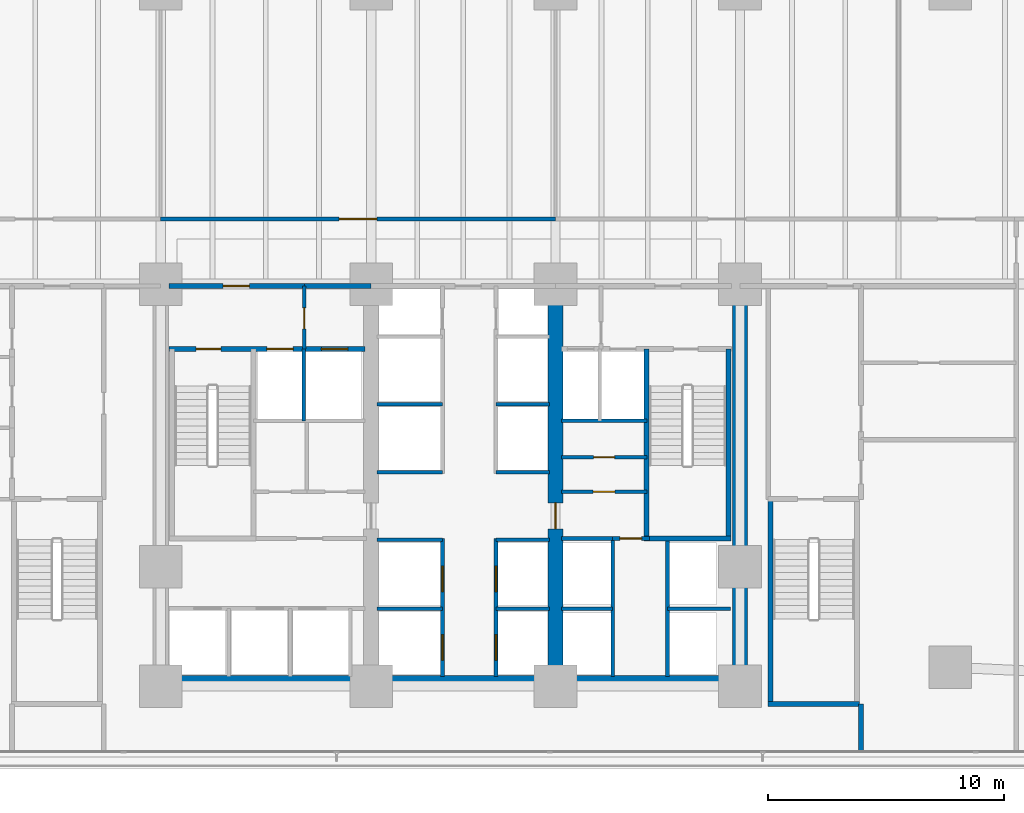
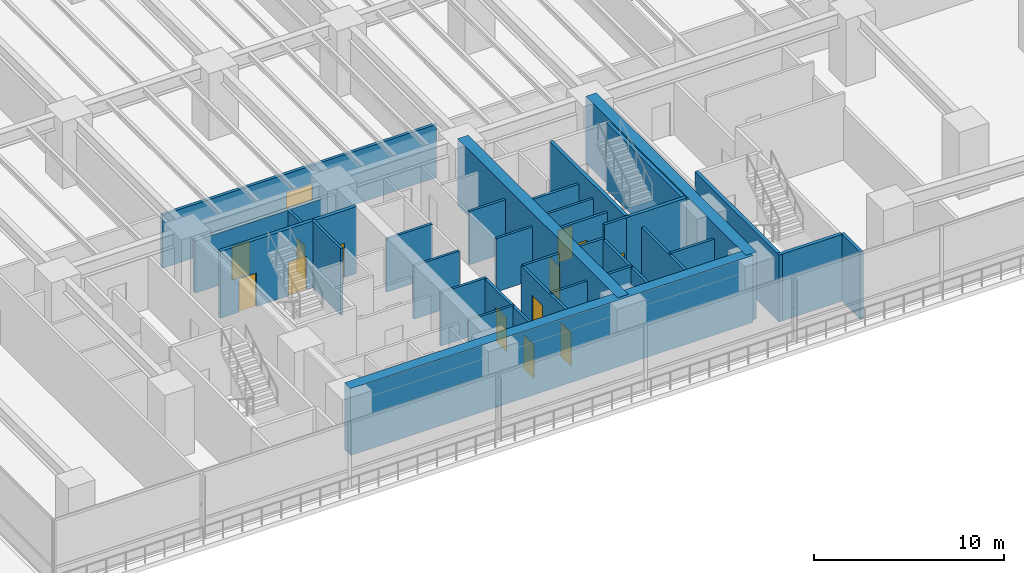
# One storey, part 11 of 28: 34 walls, 14 doors, 14 openings.
"""IFC4 building model written with IfcOpenShell, lengths in metres."""

import ifcopenshell
import ifcopenshell.guid

model = None  # the IFC model being written
_history = None  # IfcOwnerHistory: only IFC2X3 demands one
_inside = {}  # id of a spatial element -> (the spatial element, [elements in it])
_under = {}  # id of a project, library or spatial element -> (it, [spatial elements below it])
_declared = {}  # id of a project -> (the project, [libraries it declares])
_typed = {}  # id of a type object -> (the type object, [elements of that type])
_made_of = {}  # id of a material, layer set ... -> (it, [elements and type objects made of it])


def new_model(schema):
    """Start an empty IFC model of exactly this schema.

    Asked for "IFC4X3", IfcOpenShell would pick the latest addendum, in which some entities
    have other attributes; the version numbers below select the first issue.
    IFC2X3 requires an IfcOwnerHistory on every rooted entity: one is made here for all.
    """
    global model, _history
    if schema == "IFC4X3":
        model = ifcopenshell.file(schema_version=(4, 3, 0, 0))
    else:
        model = ifcopenshell.file(schema=schema)
    _inside.clear()
    _under.clear()
    _declared.clear()
    _typed.clear()
    _made_of.clear()
    _history = None
    if model.schema == "IFC2X3":
        org = make("IfcOrganization", Name="unknown")
        user = make(
            "IfcPersonAndOrganization",
            ThePerson=make("IfcPerson", FamilyName="unknown"),
            TheOrganization=org,
        )
        app = make(
            "IfcApplication",
            ApplicationDeveloper=org,
            Version="unknown",
            ApplicationFullName="unknown",
            ApplicationIdentifier="unknown",
        )
        _history = make(
            "IfcOwnerHistory",
            OwningUser=user,
            OwningApplication=app,
            ChangeAction="ADDED",
            CreationDate=0,
        )
    return model


def make(cls, **values):
    """One entity of the class cls with the attributes given. An attribute that is None is left unset."""
    return model.create_entity(
        cls, **{name: value for name, value in values.items() if value is not None}
    )


def rooted(cls, **values):
    """An entity with a GlobalId (a new one), such as an element, a storey or a relation."""
    return make(cls, GlobalId=ifcopenshell.guid.new(), OwnerHistory=_history, **values)


def si_unit(unit_type, name, prefix=None):
    """IfcSIUnit, for example si_unit("LENGTHUNIT", "METRE", prefix="MILLI")."""
    return make("IfcSIUnit", UnitType=unit_type, Prefix=prefix, Name=name)


def assignment(units):
    """IfcUnitAssignment: the units of a project."""
    return None if units is None else make("IfcUnitAssignment", Units=units)


def point(xyz):
    """IfcCartesianPoint."""
    return None if xyz is None else make("IfcCartesianPoint", Coordinates=xyz)


def direction(xyz):
    """IfcDirection."""
    return None if xyz is None else make("IfcDirection", DirectionRatios=xyz)


def frame(location, z_axis=None, x_axis=None):
    """IfcAxis2Placement3D, a coordinate frame: its origin and axes. An axis left out is left unset."""
    return make(
        "IfcAxis2Placement3D",
        Location=point(location),
        Axis=direction(z_axis),
        RefDirection=direction(x_axis),
    )


def frame_2d(location, x_axis=None):
    """IfcAxis2Placement2D, a coordinate frame in the plane: its origin and x axis."""
    return make(
        "IfcAxis2Placement2D", Location=point(location), RefDirection=direction(x_axis)
    )


def origin():
    """The frame at (0, 0, 0) with its axes left unset."""
    return frame((0.0, 0.0, 0.0))


def place(relative_to, where):
    """IfcLocalPlacement: puts the frame where relative to a parent placement (None: the world)."""
    return make(
        "IfcLocalPlacement", PlacementRelTo=relative_to, RelativePlacement=where
    )


def context(
    kind, dimensions, precision=None, world=None, true_north=None, identifier=None
):
    """IfcGeometricRepresentationContext, for example the 3D "Model" context."""
    return make(
        "IfcGeometricRepresentationContext",
        ContextIdentifier=identifier,
        ContextType=kind,
        CoordinateSpaceDimension=dimensions,
        Precision=precision,
        WorldCoordinateSystem=world,
        TrueNorth=true_north,
    )


def subcontext(parent, identifier, kind, view, scale=None):
    """IfcGeometricRepresentationSubContext, for example "Body" below "Model"."""
    return make(
        "IfcGeometricRepresentationSubContext",
        ContextIdentifier=identifier,
        ContextType=kind,
        ParentContext=parent,
        TargetScale=scale,
        TargetView=view,
    )


def project(units=None, contexts=None):
    """IfcProject with its units and contexts."""
    return rooted(
        "IfcProject",
        Name="project",
        RepresentationContexts=contexts,
        UnitsInContext=assignment(units),
    )


def spatial(cls, under=None, at=None, **own):
    """A site, building, storey or space (cls), placed at a placement, below another one or the project."""
    s = rooted(cls, ObjectPlacement=at, **own)
    if under is not None:
        _under.setdefault(under.id(), (under, []))[1].append(s)
    return s


def profile(cls, at=None, kind="AREA", **sizes):
    """A parametric profile (cls). Its sizes go by their IFC names, for example OverallWidth=200.0."""
    return make(cls, ProfileType=kind, Position=at, **sizes)


def rectangle(**sizes):
    """IfcRectangleProfileDef."""
    return profile("IfcRectangleProfileDef", **sizes)


def extrude(swept, where, along, depth):
    """IfcExtrudedAreaSolid: the profile swept, set in the frame where, extruded along a direction by depth."""
    return make(
        "IfcExtrudedAreaSolid",
        SweptArea=swept,
        Position=where,
        ExtrudedDirection=direction(along),
        Depth=depth,
    )


def shape(context_of_items, identifier, shape_type, items):
    """IfcShapeRepresentation: the items that make up one representation, for example the "Body"."""
    return make(
        "IfcShapeRepresentation",
        ContextOfItems=context_of_items,
        RepresentationIdentifier=identifier,
        RepresentationType=shape_type,
        Items=items,
    )


def material(Name=None, Category=None):
    """IfcMaterial."""
    return make("IfcMaterial", Name=Name, Category=Category)


def layer(
    of_material, thickness, ventilated=None, Name=None, Category=None, Priority=None
):
    """IfcMaterialLayer: one layer of a wall or slab, of a material (None: an air gap)."""
    return make(
        "IfcMaterialLayer",
        Material=of_material,
        LayerThickness=thickness,
        IsVentilated=ventilated,
        Name=Name,
        Category=Category,
        Priority=Priority,
    )


def layer_set(layers, Name=None):
    """IfcMaterialLayerSet."""
    return make("IfcMaterialLayerSet", MaterialLayers=layers, LayerSetName=Name)


def made_of(thing, what):
    """Note that an element or type object is made of a material, layer set ...; save() writes the relation."""
    if what is not None:
        _made_of.setdefault(what.id(), (what, []))[1].append(thing)
    return thing


def type_object(cls, material=None, **own):
    """A type object (cls), such as IfcWallType, which elements share."""
    return made_of(rooted(cls, **own), material)


def element(
    cls,
    number,
    at=None,
    inside=None,
    cuts=None,
    type_object=None,
    material=None,
    context=None,
    identifier="Body",
    shape_type=None,
    held_by="IfcProductDefinitionShape",
    body=None,
    shapes=None,
    **own,
):
    """One element of the class cls, such as IfcWall. Its Tag is "e" and its number.

    at: its placement. inside: the storey or other place that contains it. cuts: it is an
    opening in that element (IfcRelVoidsElement). A single representation is given by context,
    identifier, shape_type and body (its items); several are given by shapes. held_by: the class
    of the entity that holds the representations. save() writes the other relations.
    """
    e = rooted(cls, Tag="e%d" % number, ObjectPlacement=at, **own)
    if body is not None:
        shapes = [shape(context, identifier, shape_type, body)]
    if shapes is not None:
        e.Representation = make(held_by, Representations=shapes)
    if inside is not None:
        _inside.setdefault(inside.id(), (inside, []))[1].append(e)
    if cuts is not None:
        rooted(
            "IfcRelVoidsElement", RelatingBuildingElement=cuts, RelatedOpeningElement=e
        )
    if type_object is not None:
        _typed.setdefault(type_object.id(), (type_object, []))[1].append(e)
    return made_of(e, material)


def fill(opening, filler):
    """IfcRelFillsElement: the door or window that sits in an opening."""
    return rooted(
        "IfcRelFillsElement",
        RelatingOpeningElement=opening,
        RelatedBuildingElement=filler,
    )


def aggregate(whole, parts):
    """IfcRelAggregates: a whole, such as a stair, and the parts it consists of."""
    return rooted("IfcRelAggregates", RelatingObject=whole, RelatedObjects=parts)


def save(model, path):
    """Write the relations noted so far, then the file.

    IfcRelAggregates (storeys below a building ...), IfcRelContainedInSpatialStructure (elements
    in a storey), IfcRelDefinesByType, IfcRelAssociatesMaterial and IfcRelDeclares: one each for
    every whole, place, type object, material and project.
    """
    for whole, parts in _under.values():
        aggregate(whole, parts)
    for where, things in _inside.values():
        rooted(
            "IfcRelContainedInSpatialStructure",
            RelatedElements=things,
            RelatingStructure=where,
        )
    for kind, things in _typed.values():
        rooted("IfcRelDefinesByType", RelatedObjects=things, RelatingType=kind)
    for what, things in _made_of.values():
        rooted("IfcRelAssociatesMaterial", RelatedObjects=things, RelatingMaterial=what)
    for by, libraries in _declared.values():
        rooted("IfcRelDeclares", RelatingContext=by, RelatedDefinitions=libraries)
    model.write(path)


model = new_model("IFC4")

# Units and contexts
model_context = context("Model", 3, precision=1e-05, world=origin(), true_north=direction((0.0, 1.0)))
body_context = subcontext(model_context, "Body", "Model", "MODEL_VIEW")
ifc_project = project(units=[si_unit("LENGTHUNIT", "METRE"), si_unit("AREAUNIT", "SQUARE_METRE"), si_unit("VOLUMEUNIT", "CUBIC_METRE"), si_unit("PLANEANGLEUNIT", "RADIAN"), si_unit("MASSUNIT", "GRAM", prefix="KILO")], contexts=[model_context])

# Site, building, storey
site_placement = place(None, origin())
site = spatial("IfcSite", under=ifc_project, at=site_placement, CompositionType="ELEMENT")
building_placement = place(site_placement, origin())
building = spatial("IfcBuilding", under=site, at=building_placement, Name="Qalmaran Belvedere Hotel", CompositionType="ELEMENT")
storey_placement = place(building_placement, frame((0.0, 0.0, 10.0)))
storey = spatial("IfcBuildingStorey", under=building, at=storey_placement, Name="L02", CompositionType="ELEMENT", Elevation=10.0)

# Walls
ifc_material_1 = material(Name="Concrete C60/75", Category="concrete")
ifc_layer_1 = layer(ifc_material_1, 0.64990234375, Name="Concrete C60/75")
ifc_layer_set_1 = layer_set([ifc_layer_1], Name="Concrete C60/75")
wall_type_1 = type_object("IfcWallType", Name="WL-CORE-650-C60", PredefinedType="SHEAR", material=ifc_layer_set_1)
wall_1_placement = place(storey_placement, frame((20.300048828125, 3.6298828125, 0.0), z_axis=(0.0, 0.0, 1.0), x_axis=(1.0, 0.0, 0.0)))
element("IfcWall", 1, at=wall_1_placement, inside=storey, type_object=wall_type_1, Name="L02 South Core Shear Wall", PredefinedType="SHEAR", context=body_context, shape_type="SweptSolid", body=[
    extrude(rectangle(XDim=24.5, YDim=0.64990234375, at=frame_2d((12.25, 0.0))), origin(), (0.0, 0.0, 1.0), 4.300048828125),
])
wall_2_placement = place(storey_placement, frame((44.800048828125, 3.5, 0.0), z_axis=(0.0, 0.0, 1.0), x_axis=(0.0, 1.0, 0.0)))
element("IfcWall", 2, at=wall_2_placement, inside=storey, type_object=wall_type_1, Name="L02 East Core Shear Wall", PredefinedType="SHEAR", context=body_context, shape_type="SweptSolid", body=[
    extrude(rectangle(XDim=16.89990234375, YDim=0.64990234375, at=frame_2d((8.449951171875, 0.0))), origin(), (0.0, 0.0, 1.0), 4.300048828125),
])

# Wall, opening, door
wall_3_placement = place(storey_placement, frame((37.0, 3.5, 0.0), z_axis=(0.0, 0.0, 1.0), x_axis=(0.0, 1.0, 0.0)))
wall_3 = element("IfcWall", 3, at=wall_3_placement, inside=storey, type_object=wall_type_1, Name="L02 Core East Spine Shear Wall", PredefinedType="SHEAR", context=body_context, shape_type="SweptSolid", body=[
    extrude(rectangle(XDim=16.89990234375, YDim=0.64990234375, at=frame_2d((8.449951171875, 0.0))), origin(), (0.0, 0.0, 1.0), 4.300048828125),
])
opening_1_placement = place(wall_3_placement, frame((6.64990234375, 0.0, 0.0)))
opening_1 = element("IfcOpeningElement", 4, at=opening_1_placement, cuts=wall_3, Name="Opening FD90", PredefinedType="OPENING", context=body_context, shape_type="SweptSolid", body=[
    extrude(rectangle(XDim=1.10009765625, YDim=2.14990234375, at=frame_2d((0.550048828125, 1.074951171875))), frame((0.0, 0.3349609375, 0.0), z_axis=(0.0, -1.0, 0.0), x_axis=(1.0, 0.0, 0.0)), (0.0, 0.0, 1.0), 0.669921875),
])
ifc_material_2 = material(Name="Steel S355JR", Category="steel")
door_type_1 = type_object("IfcDoorType", Name="DR-FD90-1100X2150", OperationType="NOTDEFINED", PredefinedType="DOOR", material=ifc_material_2)
door_1_placement = place(opening_1_placement, origin())
door_1 = element("IfcDoor", 5, at=door_1_placement, inside=storey, type_object=door_type_1, Name="L02 Core East Cross-Lobby Door", OperationType="SINGLE_SWING_LEFT", OverallHeight=2.14990234375, OverallWidth=1.10009765625, PredefinedType="DOOR", context=body_context, shape_type="SweptSolid", body=[
    extrude(rectangle(XDim=1.10009765625, YDim=2.14990234375, at=frame_2d((0.550048828125, 1.074951171875))), frame((0.0, 0.02490234375, 0.0), z_axis=(0.0, -1.0, 0.0), x_axis=(1.0, 0.0, 0.0)), (0.0, 0.0, 1.0), 0.050048828125),
])
fill(opening_1, door_1)

# Walls
ifc_material_3 = material(Name="Gypsum Stud Partition")
ifc_layer_2 = layer(ifc_material_3, 0.14990234375, Name="Gypsum Stud Partition")
ifc_layer_set_2 = layer_set([ifc_layer_2], Name="Gypsum Stud Partition")
wall_type_2 = type_object("IfcWallType", Name="WL-INT-150-EI120", PredefinedType="PARTITIONING", material=ifc_layer_set_2)
wall_4_placement = place(storey_placement, frame((26.360107421875, 14.719970703125, 0.0), z_axis=(0.0, 0.0, 1.0), x_axis=(0.0, 1.0, 0.0)))
element("IfcWall", 6, at=wall_4_placement, inside=storey, type_object=wall_type_2, Name="L02 Partition WL-FF1M-L02", PredefinedType="PARTITIONING", context=body_context, shape_type="SweptSolid", body=[
    extrude(rectangle(XDim=3.0400390625, YDim=0.14990234375, at=frame_2d((1.52001953125, 0.0))), origin(), (0.0, 0.0, 1.0), 4.300048828125),
])
wall_5_placement = place(storey_placement, frame((37.25, 6.780029296875, 0.0), z_axis=(0.0, 0.0, 1.0), x_axis=(1.0, 0.0, 0.0)))
element("IfcWall", 7, at=wall_5_placement, inside=storey, type_object=wall_type_2, Name="L02 Partition WL-PHMW-L02", PredefinedType="PARTITIONING", context=body_context, shape_type="SweptSolid", body=[
    extrude(rectangle(XDim=2.169921875, YDim=0.14990234375, at=frame_2d((1.0849609375, 0.0))), origin(), (0.0, 0.0, 1.0), 3.429931640625),
])
wall_6_placement = place(storey_placement, frame((41.739990234375, 6.780029296875, 0.0), z_axis=(0.0, 0.0, 1.0), x_axis=(1.0, 0.0, 0.0)))
element("IfcWall", 8, at=wall_6_placement, inside=storey, type_object=wall_type_2, Name="L02 Partition WL-PHME-L02", PredefinedType="PARTITIONING", context=body_context, shape_type="SweptSolid", body=[
    extrude(rectangle(XDim=2.659912109375, YDim=0.14990234375, at=frame_2d((1.330078125, 0.0))), origin(), (0.0, 0.0, 1.0), 3.429931640625),
])
wall_7_placement = place(storey_placement, frame((29.449951171875, 6.780029296875, 0.0), z_axis=(0.0, 0.0, 1.0), x_axis=(1.0, 0.0, 0.0)))
element("IfcWall", 9, at=wall_7_placement, inside=storey, type_object=wall_type_2, Name="L02 Partition WL-PLW-L02-67", PredefinedType="PARTITIONING", context=body_context, shape_type="SweptSolid", body=[
    extrude(rectangle(XDim=2.77001953125, YDim=0.14990234375, at=frame_2d((1.385009765625, 0.0))), origin(), (0.0, 0.0, 1.0), 3.429931640625),
])
wall_8_placement = place(storey_placement, frame((34.47998046875, 6.780029296875, 0.0), z_axis=(0.0, 0.0, 1.0), x_axis=(1.0, 0.0, 0.0)))
element("IfcWall", 10, at=wall_8_placement, inside=storey, type_object=wall_type_2, Name="L02 Partition WL-PLE-L02-67", PredefinedType="PARTITIONING", context=body_context, shape_type="SweptSolid", body=[
    extrude(rectangle(XDim=2.27001953125, YDim=0.14990234375, at=frame_2d((1.135009765625, 0.0))), origin(), (0.0, 0.0, 1.0), 3.429931640625),
])
wall_9_placement = place(storey_placement, frame((29.449951171875, 9.699951171875, 0.0), z_axis=(0.0, 0.0, 1.0), x_axis=(1.0, 0.0, 0.0)))
element("IfcWall", 11, at=wall_9_placement, inside=storey, type_object=wall_type_2, Name="L02 Partition WL-PLW-L02-97", PredefinedType="PARTITIONING", context=body_context, shape_type="SweptSolid", body=[
    extrude(rectangle(XDim=2.77001953125, YDim=0.14990234375, at=frame_2d((1.385009765625, 0.0))), origin(), (0.0, 0.0, 1.0), 3.429931640625),
])
wall_10_placement = place(storey_placement, frame((34.47998046875, 9.699951171875, 0.0), z_axis=(0.0, 0.0, 1.0), x_axis=(1.0, 0.0, 0.0)))
element("IfcWall", 12, at=wall_10_placement, inside=storey, type_object=wall_type_2, Name="L02 Partition WL-PLE-L02-97", PredefinedType="PARTITIONING", context=body_context, shape_type="SweptSolid", body=[
    extrude(rectangle(XDim=2.27001953125, YDim=0.14990234375, at=frame_2d((1.135009765625, 0.0))), origin(), (0.0, 0.0, 1.0), 3.429931640625),
])
wall_11_placement = place(storey_placement, frame((29.449951171875, 12.550048828125, 0.0), z_axis=(0.0, 0.0, 1.0), x_axis=(1.0, 0.0, 0.0)))
element("IfcWall", 13, at=wall_11_placement, inside=storey, type_object=wall_type_2, Name="L02 Partition WL-PMW-L02-125", PredefinedType="PARTITIONING", context=body_context, shape_type="SweptSolid", body=[
    extrude(rectangle(XDim=2.77001953125, YDim=0.14990234375, at=frame_2d((1.385009765625, 0.0))), origin(), (0.0, 0.0, 1.0), 3.429931640625),
])
wall_12_placement = place(storey_placement, frame((34.47998046875, 12.550048828125, 0.0), z_axis=(0.0, 0.0, 1.0), x_axis=(1.0, 0.0, 0.0)))
element("IfcWall", 14, at=wall_12_placement, inside=storey, type_object=wall_type_2, Name="L02 Partition WL-PME-L02-125", PredefinedType="PARTITIONING", context=body_context, shape_type="SweptSolid", body=[
    extrude(rectangle(XDim=2.27001953125, YDim=0.14990234375, at=frame_2d((1.135009765625, 0.0))), origin(), (0.0, 0.0, 1.0), 3.429931640625),
])
wall_13_placement = place(storey_placement, frame((29.449951171875, 15.419921875, 0.0), z_axis=(0.0, 0.0, 1.0), x_axis=(1.0, 0.0, 0.0)))
element("IfcWall", 15, at=wall_13_placement, inside=storey, type_object=wall_type_2, Name="L02 Partition WL-PMW-L02-154", PredefinedType="PARTITIONING", context=body_context, shape_type="SweptSolid", body=[
    extrude(rectangle(XDim=2.77001953125, YDim=0.14990234375, at=frame_2d((1.385009765625, 0.0))), origin(), (0.0, 0.0, 1.0), 3.429931640625),
])
wall_14_placement = place(storey_placement, frame((34.47998046875, 15.419921875, 0.0), z_axis=(0.0, 0.0, 1.0), x_axis=(1.0, 0.0, 0.0)))
element("IfcWall", 16, at=wall_14_placement, inside=storey, type_object=wall_type_2, Name="L02 Partition WL-PME-L02-154", PredefinedType="PARTITIONING", context=body_context, shape_type="SweptSolid", body=[
    extrude(rectangle(XDim=2.27001953125, YDim=0.14990234375, at=frame_2d((1.135009765625, 0.0))), origin(), (0.0, 0.0, 1.0), 3.429931640625),
])

# Wall, opening, door
ifc_layer_3 = layer(ifc_material_3, 0.14990234375, Name="Gypsum Stud Partition")
ifc_layer_set_3 = layer_set([ifc_layer_3], Name="Gypsum Stud Partition")
wall_type_3 = type_object("IfcWallType", Name="WL-INT-150-EI60", PredefinedType="PARTITIONING", material=ifc_layer_set_3)
wall_15_placement = place(storey_placement, frame((37.25, 13.18505859375, 0.0), z_axis=(0.0, 0.0, 1.0), x_axis=(1.0, 0.0, 0.0)))
wall_15 = element("IfcWall", 17, at=wall_15_placement, inside=storey, type_object=wall_type_3, Name="L02 Partition WL-L02-KEHM", PredefinedType="PARTITIONING", context=body_context, shape_type="SweptSolid", body=[
    extrude(rectangle(XDim=3.610107421875, YDim=0.14990234375, at=frame_2d((1.80517578125, 0.0))), origin(), (0.0, 0.0, 1.0), 3.429931640625),
])
opening_2_placement = place(wall_15_placement, frame((1.364990234375, 0.0, 0.0)))
opening_2 = element("IfcOpeningElement", 18, at=opening_2_placement, cuts=wall_15, Name="Opening FD60B", PredefinedType="OPENING", context=body_context, shape_type="SweptSolid", body=[
    extrude(rectangle(XDim=0.8798828125, YDim=2.080078125, at=frame_2d((0.43994140625, 1.0400390625))), frame((0.0, 0.0849609375, 0.0), z_axis=(0.0, -1.0, 0.0), x_axis=(1.0, 0.0, 0.0)), (0.0, 0.0, 1.0), 0.169921875),
])
door_type_2 = type_object("IfcDoorType", Name="DR-FD60B-880X2080", OperationType="NOTDEFINED", PredefinedType="DOOR", material=ifc_material_2)
door_2_placement = place(opening_2_placement, origin())
door_2 = element("IfcDoor", 19, at=door_2_placement, inside=storey, type_object=door_type_2, Name="L02 Hotel Linen Closet Door", OperationType="SINGLE_SWING_RIGHT", OverallHeight=2.080078125, OverallWidth=0.8798828125, PredefinedType="DOOR", context=body_context, shape_type="SweptSolid", body=[
    extrude(rectangle(XDim=0.8798828125, YDim=2.080078125, at=frame_2d((0.43994140625, 1.0400390625))), frame((0.0, 0.02490234375, 0.0), z_axis=(0.0, -1.0, 0.0), x_axis=(1.0, 0.0, 0.0)), (0.0, 0.0, 1.0), 0.050048828125),
])
fill(opening_2, door_2)

ifc_layer_4 = layer(ifc_material_3, 0.159912109375, Name="Gypsum Stud Partition")
ifc_layer_set_4 = layer_set([ifc_layer_4], Name="Gypsum Stud Partition")
wall_type_4 = type_object("IfcWallType", Name="WL-INT-160-EI120", PredefinedType="PARTITIONING", material=ifc_layer_set_4)
wall_16_placement = place(storey_placement, frame((26.3798828125, 17.760009765625, 0.0), z_axis=(0.0, 0.0, 1.0), x_axis=(0.0, 1.0, 0.0)))
wall_16 = element("IfcWall", 20, at=wall_16_placement, inside=storey, type_object=wall_type_4, Name="L02 Partition WL-FFSV1-L02", PredefinedType="PARTITIONING", context=body_context, shape_type="SweptSolid", body=[
    extrude(rectangle(XDim=2.659912109375, YDim=0.159912109375, at=frame_2d((1.330078125, 0.0))), origin(), (0.0, 0.0, 1.0), 3.364013671875),
])
opening_3_placement = place(wall_16_placement, frame((0.85009765625, 0.0, 0.0)))
opening_3 = element("IfcOpeningElement", 21, at=opening_3_placement, cuts=wall_16, Name="Opening FD60B", PredefinedType="OPENING", context=body_context, shape_type="SweptSolid", body=[
    extrude(rectangle(XDim=0.8798828125, YDim=2.080078125, at=frame_2d((0.43994140625, 1.0400390625))), frame((0.0, 0.08984375, 0.0), z_axis=(0.0, -1.0, 0.0), x_axis=(1.0, 0.0, 0.0)), (0.0, 0.0, 1.0), 0.179931640625),
])
door_3_placement = place(opening_3_placement, origin())
door_3 = element("IfcDoor", 22, at=door_3_placement, inside=storey, type_object=door_type_2, Name="L02 Service Lobby West Door", OperationType="SINGLE_SWING_RIGHT", OverallHeight=2.080078125, OverallWidth=0.8798828125, PredefinedType="DOOR", context=body_context, shape_type="SweptSolid", body=[
    extrude(rectangle(XDim=0.8798828125, YDim=2.080078125, at=frame_2d((0.43994140625, 1.0400390625))), frame((0.0, 0.02490234375, 0.0), z_axis=(0.0, -1.0, 0.0), x_axis=(1.0, 0.0, 0.0)), (0.0, 0.0, 1.0), 0.050048828125),
])
fill(opening_3, door_3)

# Walls
wall_17_placement = place(storey_placement, frame((37.25, 14.719970703125, 0.0), z_axis=(0.0, 0.0, 1.0), x_axis=(1.0, 0.0, 0.0)))
element("IfcWall", 23, at=wall_17_placement, inside=storey, type_object=wall_type_4, Name="L02 Partition WL-FF2S-L02", PredefinedType="PARTITIONING", context=body_context, shape_type="SweptSolid", body=[
    extrude(rectangle(XDim=3.610107421875, YDim=0.159912109375, at=frame_2d((1.80517578125, 0.0))), origin(), (0.0, 0.0, 1.0), 3.429931640625),
])
for number, where, z_axis, x_axis, name in (
    (24, (39.419921875, 3.89990234375, 0.0), (0.0, 0.0, 1.0), (0.0, 1.0, 0.0), "L02 Partition WL-PHW-L02"),
    (25, (41.739990234375, 3.89990234375, 0.0), (0.0, 0.0, 1.0), (0.0, 1.0, 0.0), "L02 Partition WL-PHE-L02"),
):
    element("IfcWall", number, at=place(storey_placement, frame(where, z_axis=z_axis, x_axis=x_axis)), inside=storey, type_object=wall_type_4, Name=name, PredefinedType="PARTITIONING", context=body_context, shape_type="SweptSolid", body=[
        extrude(rectangle(XDim=5.840087890625, YDim=0.159912109375, at=frame_2d((2.919921875, 0.0))), origin(), (0.0, 0.0, 1.0), 3.364013671875),
    ])
wall_18_placement = place(storey_placement, frame((37.25, 9.739990234375, 0.0), z_axis=(0.0, 0.0, 1.0), x_axis=(1.0, 0.0, 0.0)))
element("IfcWall", 26, at=wall_18_placement, inside=storey, type_object=wall_type_4, Name="L02 Partition WL-PHNW-L02", PredefinedType="PARTITIONING", context=body_context, shape_type="SweptSolid", body=[
    extrude(rectangle(XDim=2.169921875, YDim=0.159912109375, at=frame_2d((1.0849609375, 0.0))), origin(), (0.0, 0.0, 1.0), 3.429931640625),
])

# Wall, opening, door
wall_19_placement = place(storey_placement, frame((39.419921875, 9.739990234375, 0.0), z_axis=(0.0, 0.0, 1.0), x_axis=(1.0, 0.0, 0.0)))
wall_19 = element("IfcWall", 27, at=wall_19_placement, inside=storey, type_object=wall_type_4, Name="L02 Partition WL-PHNL-L02", PredefinedType="PARTITIONING", context=body_context, shape_type="SweptSolid", body=[
    extrude(rectangle(XDim=1.56005859375, YDim=0.159912109375, at=frame_2d((0.780029296875, 0.0))), origin(), (0.0, 0.0, 1.0), 4.300048828125),
])
opening_4_placement = place(wall_19_placement, frame((0.300048828125, 0.0, 0.0)))
opening_4 = element("IfcOpeningElement", 28, at=opening_4_placement, cuts=wall_19, Name="Opening FD60S1", PredefinedType="OPENING", context=body_context, shape_type="SweptSolid", body=[
    extrude(rectangle(XDim=0.919921875, YDim=2.080078125, at=frame_2d((0.4599609375, 1.0400390625))), frame((0.0, 0.08984375, 0.0), z_axis=(0.0, -1.0, 0.0), x_axis=(1.0, 0.0, 0.0)), (0.0, 0.0, 1.0), 0.179931640625),
])
ifc_material_4 = material(Name="Engineered Oak Veneer")
door_type_3 = type_object("IfcDoorType", Name="DR-FD60S-920X2080", OperationType="NOTDEFINED", PredefinedType="DOOR", material=ifc_material_4)
door_4_placement = place(opening_4_placement, origin())
door_4 = element("IfcDoor", 29, at=door_4_placement, inside=storey, type_object=door_type_3, Name="L02 High-Rise Lift Lobby Passage Door", OperationType="SINGLE_SWING_RIGHT", OverallHeight=2.080078125, OverallWidth=0.919921875, PredefinedType="DOOR", context=body_context, shape_type="SweptSolid", body=[
    extrude(rectangle(XDim=0.919921875, YDim=2.080078125, at=frame_2d((0.4599609375, 1.0400390625))), frame((0.0, 0.02490234375, 0.0), z_axis=(0.0, -1.0, 0.0), x_axis=(1.0, 0.0, 0.0)), (0.0, 0.0, 1.0), 0.050048828125),
])
fill(opening_4, door_4)

# Wall, openings, doors
wall_20_placement = place(storey_placement, frame((32.219970703125, 3.89990234375, 0.0), z_axis=(0.0, 0.0, 1.0), x_axis=(0.0, 1.0, 0.0)))
wall_20 = element("IfcWall", 30, at=wall_20_placement, inside=storey, type_object=wall_type_4, Name="L02 Partition WL-CLBWS-L02", PredefinedType="PARTITIONING", context=body_context, shape_type="SweptSolid", body=[
    extrude(rectangle(XDim=5.840087890625, YDim=0.159912109375, at=frame_2d((2.919921875, 0.0))), origin(), (0.0, 0.0, 1.0), 3.364013671875),
])
opening_5_placement = place(wall_20_placement, frame((1.780029296875, 0.0, 0.0), z_axis=(0.0, 0.0, 1.0), x_axis=(-1.0, 0.0, 0.0)))
opening_5 = element("IfcOpeningElement", 31, at=opening_5_placement, cuts=wall_20, Name="Opening LD-P1", PredefinedType="OPENING", context=body_context, shape_type="SweptSolid", body=[
    extrude(rectangle(XDim=1.080078125, YDim=2.159912109375, at=frame_2d((0.5400390625, 1.080078125))), frame((0.0, 0.08984375, 0.0), z_axis=(0.0, -1.0, 0.0), x_axis=(1.0, 0.0, 0.0)), (0.0, 0.0, 1.0), 0.179931640625),
])
opening_6_placement = place(wall_20_placement, frame((4.68017578125, 0.0, 0.0), z_axis=(0.0, 0.0, 1.0), x_axis=(-1.0, 0.0, 0.0)))
opening_6 = element("IfcOpeningElement", 32, at=opening_6_placement, cuts=wall_20, Name="Opening LD-P1", PredefinedType="OPENING", context=body_context, shape_type="SweptSolid", body=[
    extrude(rectangle(XDim=1.080078125, YDim=2.159912109375, at=frame_2d((0.5400390625, 1.080078125))), frame((0.0, 0.08984375, 0.0), z_axis=(0.0, -1.0, 0.0), x_axis=(1.0, 0.0, 0.0)), (0.0, 0.0, 1.0), 0.179931640625),
])
ifc_material_5 = material(Name="Stainless Steel 1.4401", Category="steel")
door_type_4 = type_object("IfcDoorType", Name="DR-LIFT-P1-1080X2160", OperationType="DOUBLE_DOOR_SLIDING", PredefinedType="DOOR", material=ifc_material_5)
door_5_placement = place(opening_5_placement, origin())
door_5 = element("IfcDoor", 33, at=door_5_placement, inside=storey, type_object=door_type_4, Name="L02 PL1 Lift Landing Door", OperationType="DOUBLE_DOOR_SLIDING", OverallHeight=2.159912109375, OverallWidth=1.080078125, PredefinedType="DOOR", context=body_context, shape_type="SweptSolid", body=[
    extrude(rectangle(XDim=1.080078125, YDim=2.159912109375, at=frame_2d((0.5400390625, 1.080078125))), frame((0.0, 0.02490234375, 0.0), z_axis=(0.0, -1.0, 0.0), x_axis=(1.0, 0.0, 0.0)), (0.0, 0.0, 1.0), 0.050048828125),
])
fill(opening_5, door_5)
door_6_placement = place(opening_6_placement, origin())
door_6 = element("IfcDoor", 34, at=door_6_placement, inside=storey, type_object=door_type_4, Name="L02 PL2 Lift Landing Door", OperationType="DOUBLE_DOOR_SLIDING", OverallHeight=2.159912109375, OverallWidth=1.080078125, PredefinedType="DOOR", context=body_context, shape_type="SweptSolid", body=[
    extrude(rectangle(XDim=1.080078125, YDim=2.159912109375, at=frame_2d((0.5400390625, 1.080078125))), frame((0.0, 0.02490234375, 0.0), z_axis=(0.0, -1.0, 0.0), x_axis=(1.0, 0.0, 0.0)), (0.0, 0.0, 1.0), 0.050048828125),
])
fill(opening_6, door_6)

wall_21_placement = place(storey_placement, frame((34.47998046875, 3.89990234375, 0.0), z_axis=(0.0, 0.0, 1.0), x_axis=(0.0, 1.0, 0.0)))
wall_21 = element("IfcWall", 35, at=wall_21_placement, inside=storey, type_object=wall_type_4, Name="L02 Partition WL-CLBES-L02", PredefinedType="PARTITIONING", context=body_context, shape_type="SweptSolid", body=[
    extrude(rectangle(XDim=5.840087890625, YDim=0.159912109375, at=frame_2d((2.919921875, 0.0))), origin(), (0.0, 0.0, 1.0), 3.364013671875),
])
opening_7_placement = place(wall_21_placement, frame((0.699951171875, 0.0, 0.0)))
opening_7 = element("IfcOpeningElement", 36, at=opening_7_placement, cuts=wall_21, Name="Opening LD-P1", PredefinedType="OPENING", context=body_context, shape_type="SweptSolid", body=[
    extrude(rectangle(XDim=1.080078125, YDim=2.159912109375, at=frame_2d((0.5400390625, 1.080078125))), frame((0.0, 0.08984375, 0.0), z_axis=(0.0, -1.0, 0.0), x_axis=(1.0, 0.0, 0.0)), (0.0, 0.0, 1.0), 0.179931640625),
])
opening_8_placement = place(wall_21_placement, frame((3.60009765625, 0.0, 0.0)))
opening_8 = element("IfcOpeningElement", 37, at=opening_8_placement, cuts=wall_21, Name="Opening LD-P1", PredefinedType="OPENING", context=body_context, shape_type="SweptSolid", body=[
    extrude(rectangle(XDim=1.080078125, YDim=2.159912109375, at=frame_2d((0.5400390625, 1.080078125))), frame((0.0, 0.08984375, 0.0), z_axis=(0.0, -1.0, 0.0), x_axis=(1.0, 0.0, 0.0)), (0.0, 0.0, 1.0), 0.179931640625),
])
door_7_placement = place(opening_7_placement, origin())
door_7 = element("IfcDoor", 38, at=door_7_placement, inside=storey, type_object=door_type_4, Name="L02 PL3 Lift Landing Door", OperationType="DOUBLE_DOOR_SLIDING", OverallHeight=2.159912109375, OverallWidth=1.080078125, PredefinedType="DOOR", context=body_context, shape_type="SweptSolid", body=[
    extrude(rectangle(XDim=1.080078125, YDim=2.159912109375, at=frame_2d((0.5400390625, 1.080078125))), frame((0.0, 0.02490234375, 0.0), z_axis=(0.0, -1.0, 0.0), x_axis=(1.0, 0.0, 0.0)), (0.0, 0.0, 1.0), 0.050048828125),
])
fill(opening_7, door_7)
door_8_placement = place(opening_8_placement, origin())
door_8 = element("IfcDoor", 39, at=door_8_placement, inside=storey, type_object=door_type_4, Name="L02 PL4 Lift Landing Door", OperationType="DOUBLE_DOOR_SLIDING", OverallHeight=2.159912109375, OverallWidth=1.080078125, PredefinedType="DOOR", context=body_context, shape_type="SweptSolid", body=[
    extrude(rectangle(XDim=1.080078125, YDim=2.159912109375, at=frame_2d((0.5400390625, 1.080078125))), frame((0.0, 0.02490234375, 0.0), z_axis=(0.0, -1.0, 0.0), x_axis=(1.0, 0.0, 0.0)), (0.0, 0.0, 1.0), 0.050048828125),
])
fill(opening_8, door_8)

# Wall, opening, door
ifc_layer_5 = layer(ifc_material_3, 0.159912109375, Name="Gypsum Stud Partition")
ifc_layer_set_5 = layer_set([ifc_layer_5], Name="Gypsum Stud Partition")
wall_type_5 = type_object("IfcWallType", Name="WL-INT-160-EI60", PredefinedType="PARTITIONING", material=ifc_layer_set_5)
wall_22_placement = place(storey_placement, frame((37.25, 11.719970703125, 0.0), z_axis=(0.0, 0.0, 1.0), x_axis=(1.0, 0.0, 0.0)))
wall_22 = element("IfcWall", 40, at=wall_22_placement, inside=storey, type_object=wall_type_5, Name="L02 Partition WL-L02-KEE1", PredefinedType="PARTITIONING", context=body_context, shape_type="SweptSolid", body=[
    extrude(rectangle(XDim=3.610107421875, YDim=0.159912109375, at=frame_2d((1.80517578125, 0.0))), origin(), (0.0, 0.0, 1.0), 3.429931640625),
])
opening_9_placement = place(wall_22_placement, frame((1.344970703125, 0.0, 0.0)))
opening_9 = element("IfcOpeningElement", 41, at=opening_9_placement, cuts=wall_22, Name="Opening FD60S1", PredefinedType="OPENING", context=body_context, shape_type="SweptSolid", body=[
    extrude(rectangle(XDim=0.919921875, YDim=2.080078125, at=frame_2d((0.4599609375, 1.0400390625))), frame((0.0, 0.08984375, 0.0), z_axis=(0.0, -1.0, 0.0), x_axis=(1.0, 0.0, 0.0)), (0.0, 0.0, 1.0), 0.179931640625),
])
door_9_placement = place(opening_9_placement, origin())
door_9 = element("IfcDoor", 42, at=door_9_placement, inside=storey, type_object=door_type_3, Name="L02 Low Voltage Switch Room Door", OperationType="SINGLE_SWING_LEFT", OverallHeight=2.080078125, OverallWidth=0.919921875, PredefinedType="DOOR", context=body_context, shape_type="SweptSolid", body=[
    extrude(rectangle(XDim=0.919921875, YDim=2.080078125, at=frame_2d((0.4599609375, 1.0400390625))), frame((0.0, 0.02490234375, 0.0), z_axis=(0.0, -1.0, 0.0), x_axis=(1.0, 0.0, 0.0)), (0.0, 0.0, 1.0), 0.050048828125),
])
fill(opening_9, door_9)

ifc_layer_6 = layer(ifc_material_3, 0.179931640625, Name="Gypsum Stud Partition")
ifc_layer_set_6 = layer_set([ifc_layer_6], Name="Gypsum Stud Partition")
wall_type_6 = type_object("IfcWallType", Name="WL-INT-180-EI60", PredefinedType="PARTITIONING", material=ifc_layer_set_6)
wall_23_placement = place(storey_placement, frame((20.300048828125, 23.25, 0.0), z_axis=(0.0, 0.0, 1.0), x_axis=(1.0, 0.0, 0.0)))
wall_23 = element("IfcWall", 43, at=wall_23_placement, inside=storey, type_object=wall_type_6, Name="L02 Partition WL-L02-GND2", PredefinedType="PARTITIONING", context=body_context, shape_type="SweptSolid", body=[
    extrude(rectangle(XDim=16.699951171875, YDim=0.179931640625, at=frame_2d((8.35009765625, 0.0))), origin(), (0.0, 0.0, 1.0), 3.429931640625),
])
opening_10_placement = place(wall_23_placement, frame((7.550048828125, 0.0, 0.0)))
opening_10 = element("IfcOpeningElement", 44, at=opening_10_placement, cuts=wall_23, Name="Opening FD60D", PredefinedType="OPENING", context=body_context, shape_type="SweptSolid", body=[
    extrude(rectangle(XDim=1.60009765625, YDim=2.219970703125, at=frame_2d((0.800048828125, 1.10986328125))), frame((0.0, 0.10009765625, 0.0), z_axis=(0.0, -1.0, 0.0), x_axis=(1.0, 0.0, 0.0)), (0.0, 0.0, 1.0), 0.199951171875),
])
door_type_5 = type_object("IfcDoorType", Name="DR-FD60D-1600X2220", OperationType="NOTDEFINED", PredefinedType="DOOR", material=ifc_material_4)
door_10_placement = place(opening_10_placement, origin())
door_10 = element("IfcDoor", 45, at=door_10_placement, inside=storey, type_object=door_type_5, Name="L02 Grand Ballroom West Door", OperationType="DOUBLE_DOOR_SINGLE_SWING", OverallHeight=2.219970703125, OverallWidth=1.60009765625, PredefinedType="DOOR", context=body_context, shape_type="SweptSolid", body=[
    extrude(rectangle(XDim=1.60009765625, YDim=2.219970703125, at=frame_2d((0.800048828125, 1.10986328125))), frame((0.0, 0.02490234375, 0.0), z_axis=(0.0, -1.0, 0.0), x_axis=(1.0, 0.0, 0.0)), (0.0, 0.0, 1.0), 0.050048828125),
])
fill(opening_10, door_10)

ifc_material_6 = material(Name="Concrete C30/37 Blockwork", Category="masonry")
ifc_layer_7 = layer(ifc_material_6, 0.199951171875, Name="Concrete C30/37 Blockwork")
ifc_layer_set_7 = layer_set([ifc_layer_7], Name="Concrete C30/37 Blockwork")
wall_type_7 = type_object("IfcWallType", Name="WL-INT-200-EI120", PredefinedType="PARTITIONING", material=ifc_layer_set_7)
wall_24_placement = place(storey_placement, frame((20.64990234375, 20.419921875, 0.0), z_axis=(0.0, 0.0, 1.0), x_axis=(1.0, 0.0, 0.0)))
wall_24 = element("IfcWall", 46, at=wall_24_placement, inside=storey, type_object=wall_type_7, Name="L02 Partition WL-CN1A-L02", PredefinedType="PARTITIONING", context=body_context, shape_type="SweptSolid", body=[
    extrude(rectangle(XDim=5.72998046875, YDim=0.199951171875, at=frame_2d((2.864990234375, 0.0))), origin(), (0.0, 0.0, 1.0), 3.364013671875),
])
opening_11_placement = place(wall_24_placement, frame((2.300048828125, 0.0, 0.0)))
opening_11 = element("IfcOpeningElement", 47, at=opening_11_placement, cuts=wall_24, Name="Opening FD90", PredefinedType="OPENING", context=body_context, shape_type="SweptSolid", body=[
    extrude(rectangle(XDim=1.10009765625, YDim=2.14990234375, at=frame_2d((0.550048828125, 1.074951171875))), frame((0.0, 0.10986328125, 0.0), z_axis=(0.0, -1.0, 0.0), x_axis=(1.0, 0.0, 0.0)), (0.0, 0.0, 1.0), 0.219970703125),
])
door_11_placement = place(opening_11_placement, origin())
door_11 = element("IfcDoor", 48, at=door_11_placement, inside=storey, type_object=door_type_1, Name="L02 FF1 Lobby Corridor Door", OperationType="SINGLE_SWING_RIGHT", OverallHeight=2.14990234375, OverallWidth=1.10009765625, PredefinedType="DOOR", context=body_context, shape_type="SweptSolid", body=[
    extrude(rectangle(XDim=1.10009765625, YDim=2.14990234375, at=frame_2d((0.550048828125, 1.074951171875))), frame((0.0, 0.02490234375, 0.0), z_axis=(0.0, -1.0, 0.0), x_axis=(1.0, 0.0, 0.0)), (0.0, 0.0, 1.0), 0.050048828125),
])
fill(opening_11, door_11)

# Walls
wall_25_placement = place(storey_placement, frame((26.3798828125, 20.419921875, 0.0), z_axis=(0.0, 0.0, 1.0), x_axis=(1.0, 0.0, 0.0)))
element("IfcWall", 49, at=wall_25_placement, inside=storey, type_object=wall_type_7, Name="L02 Partition WL-CN1B-L02", PredefinedType="PARTITIONING", context=body_context, shape_type="SweptSolid", body=[
    extrude(rectangle(XDim=2.820068359375, YDim=0.199951171875, at=frame_2d((1.41015625, 0.0))), origin(), (0.0, 0.0, 1.0), 3.364013671875),
])
wall_26_placement = place(storey_placement, frame((49.919921875, 0.719970703125, 0.0), z_axis=(0.0, 0.0, 1.0), x_axis=(0.0, 1.0, 0.0)))
element("IfcWall", 50, at=wall_26_placement, inside=storey, type_object=wall_type_7, Name="L02 Partition WL-L02-STPE2S", PredefinedType="PARTITIONING", context=body_context, shape_type="SweptSolid", body=[
    extrude(rectangle(XDim=2.030029296875, YDim=0.199951171875, at=frame_2d((1.01513671875, 0.0))), origin(), (0.0, 0.0, 1.0), 4.300048828125),
])

# Wall, openings, doors
ifc_material_7 = material(Name="Concrete C50/60", Category="concrete")
ifc_layer_8 = layer(ifc_material_7, 0.2099609375, Name="Concrete C50/60")
ifc_layer_set_8 = layer_set([ifc_layer_8], Name="Concrete C50/60")
wall_type_8 = type_object("IfcWallType", Name="WL-STAIR-210-C50", PredefinedType="SHEAR", material=ifc_layer_set_8)
wall_27_placement = place(storey_placement, frame((20.64990234375, 17.7548828125, 0.0), z_axis=(0.0, 0.0, 1.0), x_axis=(1.0, 0.0, 0.0)))
wall_27 = element("IfcWall", 51, at=wall_27_placement, inside=storey, type_object=wall_type_8, Name="L02 West Lobby and Stair ST-1 North Bearing Wall", PredefinedType="SHEAR", context=body_context, shape_type="SweptSolid", body=[
    extrude(rectangle(XDim=8.300048828125, YDim=0.2099609375, at=frame_2d((4.14990234375, 0.0))), origin(), (0.0, 0.0, 1.0), 4.300048828125),
])
opening_12_placement = place(wall_27_placement, frame((2.199951171875, 0.0, 0.0), z_axis=(0.0, 0.0, 1.0), x_axis=(-1.0, 0.0, 0.0)))
opening_12 = element("IfcOpeningElement", 52, at=opening_12_placement, cuts=wall_27, Name="Opening FD90S2", PredefinedType="OPENING", context=body_context, shape_type="SweptSolid", body=[
    extrude(rectangle(XDim=1.050048828125, YDim=2.14990234375, at=frame_2d((0.52490234375, 1.074951171875))), frame((0.0, 0.114990234375, 0.0), z_axis=(0.0, -1.0, 0.0), x_axis=(1.0, 0.0, 0.0)), (0.0, 0.0, 1.0), 0.22998046875),
])
opening_13_placement = place(wall_27_placement, frame((4.14990234375, 0.0, 0.0)))
opening_13 = element("IfcOpeningElement", 53, at=opening_13_placement, cuts=wall_27, Name="Opening LD-FF", PredefinedType="OPENING", context=body_context, shape_type="SweptSolid", body=[
    extrude(rectangle(XDim=1.10009765625, YDim=2.179931640625, at=frame_2d((0.550048828125, 1.08984375))), frame((0.0, 0.114990234375, 0.0), z_axis=(0.0, -1.0, 0.0), x_axis=(1.0, 0.0, 0.0)), (0.0, 0.0, 1.0), 0.22998046875),
])
opening_14_placement = place(wall_27_placement, frame((6.449951171875, 0.0, 0.0)))
opening_14 = element("IfcOpeningElement", 54, at=opening_14_placement, cuts=wall_27, Name="Opening LD-SV", PredefinedType="OPENING", context=body_context, shape_type="SweptSolid", body=[
    extrude(rectangle(XDim=1.1201171875, YDim=2.199951171875, at=frame_2d((0.56005859375, 1.10009765625))), frame((0.0, 0.114990234375, 0.0), z_axis=(0.0, -1.0, 0.0), x_axis=(1.0, 0.0, 0.0)), (0.0, 0.0, 1.0), 0.22998046875),
])
door_type_6 = type_object("IfcDoorType", Name="DR-FD90S-1050X2150", OperationType="NOTDEFINED", PredefinedType="DOOR", material=ifc_material_2)
door_12_placement = place(opening_12_placement, origin())
door_12 = element("IfcDoor", 55, at=door_12_placement, inside=storey, type_object=door_type_6, Name="L02 Stair ST-1 Door", OperationType="SINGLE_SWING_RIGHT", OverallHeight=2.14990234375, OverallWidth=1.050048828125, PredefinedType="DOOR", context=body_context, shape_type="SweptSolid", body=[
    extrude(rectangle(XDim=1.050048828125, YDim=2.14990234375, at=frame_2d((0.52490234375, 1.074951171875))), frame((0.0, 0.02490234375, 0.0), z_axis=(0.0, -1.0, 0.0), x_axis=(1.0, 0.0, 0.0)), (0.0, 0.0, 1.0), 0.050048828125),
])
fill(opening_12, door_12)
door_type_7 = type_object("IfcDoorType", Name="DR-LIFT-FF-1100X2180", OperationType="DOUBLE_DOOR_SLIDING", PredefinedType="DOOR", material=ifc_material_5)
door_13_placement = place(opening_13_placement, origin())
door_13 = element("IfcDoor", 56, at=door_13_placement, inside=storey, type_object=door_type_7, Name="L02 FF1 Lift Landing Door", OperationType="DOUBLE_DOOR_SLIDING", OverallHeight=2.179931640625, OverallWidth=1.10009765625, PredefinedType="DOOR", context=body_context, shape_type="SweptSolid", body=[
    extrude(rectangle(XDim=1.10009765625, YDim=2.179931640625, at=frame_2d((0.550048828125, 1.08984375))), frame((0.0, 0.02490234375, 0.0), z_axis=(0.0, -1.0, 0.0), x_axis=(1.0, 0.0, 0.0)), (0.0, 0.0, 1.0), 0.050048828125),
])
fill(opening_13, door_13)
door_type_8 = type_object("IfcDoorType", Name="DR-LIFT-SV-1120X2200", OperationType="DOUBLE_DOOR_SLIDING", PredefinedType="DOOR", material=ifc_material_5)
door_14_placement = place(opening_14_placement, origin())
door_14 = element("IfcDoor", 57, at=door_14_placement, inside=storey, type_object=door_type_8, Name="L02 SV1 Lift Landing Door", OperationType="DOUBLE_DOOR_SLIDING", OverallHeight=2.199951171875, OverallWidth=1.1201171875, PredefinedType="DOOR", context=body_context, shape_type="SweptSolid", body=[
    extrude(rectangle(XDim=1.1201171875, YDim=2.199951171875, at=frame_2d((0.56005859375, 1.10009765625))), frame((0.0, 0.02490234375, 0.0), z_axis=(0.0, -1.0, 0.0), x_axis=(1.0, 0.0, 0.0)), (0.0, 0.0, 1.0), 0.050048828125),
])
fill(opening_14, door_14)

# Walls
for number, where, z_axis, x_axis, name in (
    (58, (40.85498046875, 9.7451171875, 0.0), (0.0, 0.0, 1.0), (0.0, 1.0, 0.0), "L02 Stair ST-2 West Bearing Wall"),
    (59, (44.304931640625, 9.7451171875, 0.0), (0.0, 0.0, 1.0), (0.0, 1.0, 0.0), "L02 Stair ST-2 East Bearing Wall"),
):
    element("IfcWall", number, at=place(storey_placement, frame(where, z_axis=z_axis, x_axis=x_axis)), inside=storey, type_object=wall_type_8, Name=name, PredefinedType="SHEAR", context=body_context, shape_type="SweptSolid", body=[
        extrude(rectangle(XDim=8.009765625, YDim=0.2099609375, at=frame_2d((4.0048828125, 0.0))), origin(), (0.0, 0.0, 1.0), 4.300048828125),
    ])
wall_28_placement = place(storey_placement, frame((40.75, 9.7451171875, 0.0), z_axis=(0.0, 0.0, 1.0), x_axis=(1.0, 0.0, 0.0)))
element("IfcWall", 60, at=wall_28_placement, inside=storey, type_object=wall_type_8, Name="L02 Stair ST-2 South Bearing Wall", PredefinedType="SHEAR", context=body_context, shape_type="SweptSolid", body=[
    extrude(rectangle(XDim=3.659912109375, YDim=0.2099609375, at=frame_2d((1.830078125, 0.0))), origin(), (0.0, 0.0, 1.0), 4.300048828125),
])
wall_29_placement = place(storey_placement, frame((46.094970703125, 2.639892578125, 0.0), z_axis=(0.0, 0.0, 1.0), x_axis=(0.0, 1.0, 0.0)))
element("IfcWall", 61, at=wall_29_placement, inside=storey, type_object=wall_type_8, Name="L02 Podium Stair STP2 West Bearing Wall", PredefinedType="SHEAR", context=body_context, shape_type="SweptSolid", body=[
    extrude(rectangle(XDim=8.8701171875, YDim=0.2099609375, at=frame_2d((4.43505859375, 0.0))), origin(), (0.0, 0.0, 1.0), 4.300048828125),
])
wall_30_placement = place(storey_placement, frame((45.989990234375, 2.7451171875, 0.0), z_axis=(0.0, 0.0, 1.0), x_axis=(1.0, 0.0, 0.0)))
element("IfcWall", 62, at=wall_30_placement, inside=storey, type_object=wall_type_8, Name="L02 Podium Stair STP2 South Bearing Wall", PredefinedType="SHEAR", context=body_context, shape_type="SweptSolid", body=[
    extrude(rectangle(XDim=3.860107421875, YDim=0.2099609375, at=frame_2d((1.93017578125, 0.0))), origin(), (0.0, 0.0, 1.0), 4.300048828125),
])

save(model, "model.ifc")
